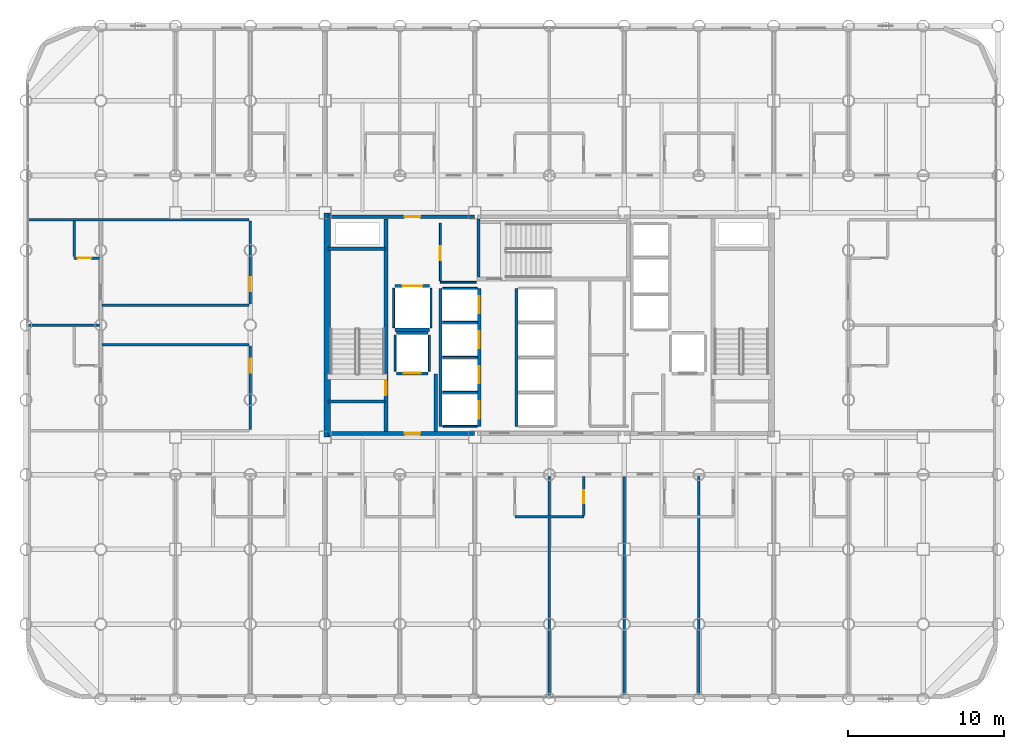
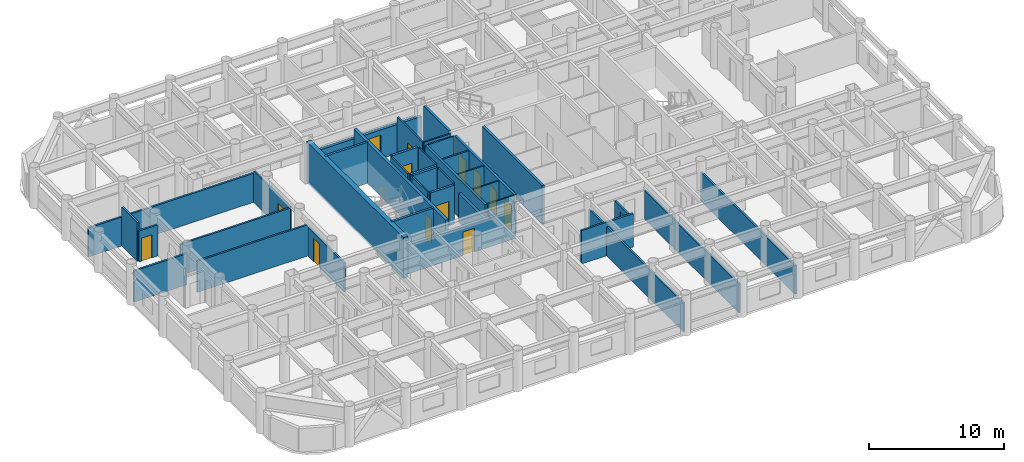
# One storey, part 17 of 22: 39 walls, 14 doors, 14 openings.
"""IFC4 building model written with IfcOpenShell, lengths in metres."""

from ifc_helpers import new_model, si_unit, direction, frame, frame_2d, origin, place, context, subcontext, project, spatial, rectangle, extrude, material, layer, layer_set, type_object, element, fill, save


model = new_model("IFC4")

# Units and contexts
model_context = context("Model", 3, precision=1e-05, world=origin(), true_north=direction((0.0, 1.0)))
body_context = subcontext(model_context, "Body", "Model", "MODEL_VIEW")
ifc_project = project(units=[si_unit("LENGTHUNIT", "METRE"), si_unit("AREAUNIT", "SQUARE_METRE"), si_unit("VOLUMEUNIT", "CUBIC_METRE"), si_unit("PLANEANGLEUNIT", "RADIAN"), si_unit("MASSUNIT", "GRAM", prefix="KILO")], contexts=[model_context])

# Site, building, storey
site_placement = place(None, origin())
site = spatial("IfcSite", under=ifc_project, at=site_placement, CompositionType="ELEMENT")
building_placement = place(site_placement, origin())
building = spatial("IfcBuilding", under=site, at=building_placement, Name="Kallvorn Hotel Tower", CompositionType="ELEMENT")
storey_placement = place(building_placement, frame((0.0, 0.0, 37.39990234375)))
storey = spatial("IfcBuildingStorey", under=building, at=storey_placement, Name="L07", CompositionType="ELEMENT", Elevation=37.39990234375)

# Walls
ifc_material_1 = material(Name="Concrete C50/60", Category="concrete")
ifc_layer_1 = layer(ifc_material_1, 0.39990234375)
ifc_layer_set_1 = layer_set([ifc_layer_1], Name="WL_CORE_400")
wall_type_1 = type_object("IfcWallType", Name="WL_CORE_400", PredefinedType="SHEAR", material=ifc_layer_set_1)
wall_1_placement = place(storey_placement, frame((-14.264892578125, -7.199951171875, -0.179931640625), z_axis=(0.0, 0.0, 1.0), x_axis=(0.0, 1.0, 0.0)))
element("IfcWall", 1, at=wall_1_placement, inside=storey, type_object=wall_type_1, Name="L07 Core West Shear Wall", PredefinedType="SHEAR", context=body_context, shape_type="SweptSolid", body=[
    extrude(rectangle(XDim=14.39990234375, YDim=0.39990234375, at=frame_2d((7.199951171875, 0.0))), origin(), (0.0, 0.0, 1.0), 3.699951171875),
])
ifc_material_2 = material(Name="Fire-rated double-layer acoustic gypsum drywall EI 60")
ifc_layer_2 = layer(ifc_material_2, 0.159912109375)
ifc_layer_set_2 = layer_set([ifc_layer_2], Name="WL_DEMISE_160")
wall_type_2 = type_object("IfcWallType", Name="WL_DEMISE_160", PredefinedType="PARTITIONING", material=ifc_layer_set_2)
wall_2_placement = place(storey_placement, frame((-2.2099609375, -12.320068359375, 0.0), z_axis=(0.0, 0.0, 1.0), x_axis=(1.0, 0.0, 0.0)))
element("IfcWall", 2, at=wall_2_placement, inside=storey, type_object=wall_type_2, Name="L07 Suite 709 Superior Twin Room Partition", PredefinedType="PARTITIONING", context=body_context, shape_type="SweptSolid", body=[
    extrude(rectangle(XDim=4.419921875, YDim=0.159912109375, at=frame_2d((2.2099609375, 0.0))), origin(), (0.0, 0.0, 1.0), 3.02001953125),
])
wall_3_placement = place(storey_placement, frame((-33.429931640625, 0.0, 0.0), z_axis=(0.0, 0.0, 1.0), x_axis=(1.0, 0.0, 0.0)))
element("IfcWall", 3, at=wall_3_placement, inside=storey, type_object=wall_type_2, Name="L07 Suite 702 W Andean Twin Room Partition", PredefinedType="PARTITIONING", context=body_context, shape_type="SweptSolid", body=[
    extrude(rectangle(XDim=4.550048828125, YDim=0.159912109375, at=frame_2d((2.27490234375, 0.0))), origin(), (0.0, 0.0, 1.0), 2.820068359375),
])

# Wall, opening, door
wall_4_placement = place(storey_placement, frame((-30.5, 4.300048828125, 0.0), z_axis=(0.0, 0.0, 1.0), x_axis=(1.0, 0.0, 0.0)))
wall_4 = element("IfcWall", 4, at=wall_4_placement, inside=storey, type_object=wall_type_2, Name="L07 Suite 702 W Andean Twin Room Partition", PredefinedType="PARTITIONING", context=body_context, shape_type="SweptSolid", body=[
    extrude(rectangle(XDim=1.6201171875, YDim=0.159912109375, at=frame_2d((0.81005859375, 0.0))), origin(), (0.0, 0.0, 1.0), 2.820068359375),
])
opening_1_placement = place(wall_4_placement, frame((0.219970703125, 0.0, 0.0)))
opening_1 = element("IfcOpeningElement", 5, at=opening_1_placement, cuts=wall_4, Name="Opening BD-I", PredefinedType="OPENING", context=body_context, shape_type="SweptSolid", body=[
    extrude(rectangle(XDim=0.860107421875, YDim=2.10009765625, at=frame_2d((0.43017578125, 1.050048828125))), frame((0.0, 0.094970703125, 0.0), z_axis=(0.0, -1.0, 0.0), x_axis=(1.0, 0.0, 0.0)), (0.0, 0.0, 1.0), 0.18994140625),
])
ifc_material_3 = material(Name="Solid-core walnut veneer fire-rated timber door leaf", Category="wood")
door_type_1 = type_object("IfcDoorType", Name="DR_BATH_860x2100", OperationType="NOTDEFINED", PredefinedType="DOOR", material=ifc_material_3)
door_1_placement = place(opening_1_placement, origin())
door_1 = element("IfcDoor", 6, at=door_1_placement, inside=storey, type_object=door_type_1, Name="L07 Suite 702 En-Suite Bathroom Door", OperationType="SINGLE_SWING_LEFT", OverallHeight=2.10009765625, OverallWidth=0.860107421875, PredefinedType="DOOR", context=body_context, shape_type="SweptSolid", body=[
    extrude(rectangle(XDim=0.860107421875, YDim=2.10009765625, at=frame_2d((0.43017578125, 1.050048828125))), frame((0.0, 0.02490234375, 0.0), z_axis=(0.0, -1.0, 0.0), x_axis=(1.0, 0.0, 0.0)), (0.0, 0.0, 1.0), 0.050048828125),
])
fill(opening_1, door_1)

# Walls
wall_5_placement = place(storey_placement, frame((-33.429931640625, 6.75830078125, 0.0), z_axis=(0.0, 0.0, 1.0), x_axis=(1.0, 0.0, 0.0)))
element("IfcWall", 7, at=wall_5_placement, inside=storey, type_object=wall_type_2, Name="L07 Suite 702 W Andean Twin Room Partition", PredefinedType="PARTITIONING", context=body_context, shape_type="SweptSolid", body=[
    extrude(rectangle(XDim=14.14990234375, YDim=0.159912109375, at=frame_2d((7.074951171875, 0.0))), origin(), (0.0, 0.0, 1.0), 2.6201171875),
])
wall_6_placement = place(storey_placement, frame((-30.5, 4.385009765625, 0.0), z_axis=(0.0, 0.0, 1.0), x_axis=(0.0, 1.0, 0.0)))
element("IfcWall", 8, at=wall_6_placement, inside=storey, type_object=wall_type_2, Name="L07 Suite 702 W Andean Twin Room Partition", PredefinedType="PARTITIONING", context=body_context, shape_type="SweptSolid", body=[
    extrude(rectangle(XDim=2.288330078125, YDim=0.159912109375, at=frame_2d((1.14404296875, 0.0))), origin(), (0.0, 0.0, 1.0), 3.52001953125),
])
wall_7_placement = place(storey_placement, frame((0.0, -23.794921875, 0.0), z_axis=(0.0, 0.0, 1.0), x_axis=(0.0, 1.0, 0.0)))
element("IfcWall", 9, at=wall_7_placement, inside=storey, type_object=wall_type_2, Name="L07 Suite 709 Superior Twin Room Partition", PredefinedType="PARTITIONING", context=body_context, shape_type="SweptSolid", body=[
    extrude(rectangle(XDim=14.074951171875, YDim=0.159912109375, at=frame_2d((7.03759765625, 0.0))), origin(), (0.0, 0.0, 1.0), 2.6201171875),
])

# Wall, opening, door
wall_8_placement = place(storey_placement, frame((2.2099609375, -12.235107421875, 0.0), z_axis=(0.0, 0.0, 1.0), x_axis=(0.0, 1.0, 0.0)))
wall_8 = element("IfcWall", 10, at=wall_8_placement, inside=storey, type_object=wall_type_2, Name="L07 Suite 710 Superior Twin Room Partition", PredefinedType="PARTITIONING", context=body_context, shape_type="SweptSolid", body=[
    extrude(rectangle(XDim=2.51513671875, YDim=0.159912109375, at=frame_2d((1.257568359375, 0.0))), origin(), (0.0, 0.0, 1.0), 2.6201171875),
])
opening_2_placement = place(wall_8_placement, frame((0.784912109375, 0.0, 0.0)))
opening_2 = element("IfcOpeningElement", 11, at=opening_2_placement, cuts=wall_8, Name="Opening BD-I", PredefinedType="OPENING", context=body_context, shape_type="SweptSolid", body=[
    extrude(rectangle(XDim=0.860107421875, YDim=2.10009765625, at=frame_2d((0.43017578125, 1.050048828125))), frame((0.0, 0.094970703125, 0.0), z_axis=(0.0, -1.0, 0.0), x_axis=(1.0, 0.0, 0.0)), (0.0, 0.0, 1.0), 0.18994140625),
])
door_2_placement = place(opening_2_placement, origin())
door_2 = element("IfcDoor", 12, at=door_2_placement, inside=storey, type_object=door_type_1, Name="L07 Suite 710 En-Suite Bathroom Door", OperationType="SINGLE_SWING_LEFT", OverallHeight=2.10009765625, OverallWidth=0.860107421875, PredefinedType="DOOR", context=body_context, shape_type="SweptSolid", body=[
    extrude(rectangle(XDim=0.860107421875, YDim=2.10009765625, at=frame_2d((0.43017578125, 1.050048828125))), frame((0.0, 0.02490234375, 0.0), z_axis=(0.0, -1.0, 0.0), x_axis=(1.0, 0.0, 0.0)), (0.0, 0.0, 1.0), 0.050048828125),
])
fill(opening_2, door_2)

# Walls
for number, where, z_axis, x_axis, name in (
    (13, (4.800048828125, -23.7099609375, 0.0), (0.0, 0.0, 1.0), (0.0, 1.0, 0.0), "L07 Suite 710 Superior Twin Room Partition"),
    (14, (9.60009765625, -23.7099609375, 0.0), (0.0, 0.0, 1.0), (0.0, 1.0, 0.0), "L07 Suite 711 Superior Twin Room Partition"),
):
    element("IfcWall", number, at=place(storey_placement, frame(where, z_axis=z_axis, x_axis=x_axis)), inside=storey, type_object=wall_type_2, Name=name, PredefinedType="PARTITIONING", context=body_context, shape_type="SweptSolid", body=[
        extrude(rectangle(XDim=13.989990234375, YDim=0.159912109375, at=frame_2d((6.9951171875, 0.0))), origin(), (0.0, 0.0, 1.0), 2.6201171875),
    ])
ifc_material_4 = material(Name="Concrete C40/50", Category="concrete")
ifc_layer_3 = layer(ifc_material_4, 0.219970703125)
ifc_layer_set_3 = layer_set([ifc_layer_3], Name="WL_FFL_220")
wall_type_3 = type_object("IfcWallType", Name="WL_FFL_220", PredefinedType="SOLIDWALL", material=ifc_layer_set_3)
wall_9_placement = place(storey_placement, frame((-7.300048828125, -6.820068359375, 0.0), z_axis=(0.0, 0.0, 1.0), x_axis=(0.0, 1.0, 0.0)))
element("IfcWall", 15, at=wall_9_placement, inside=storey, type_object=wall_type_3, Name="L07 Firefighting Lobby West Divider Wall", PredefinedType="SOLIDWALL", context=body_context, shape_type="SweptSolid", body=[
    extrude(rectangle(XDim=3.670166015625, YDim=0.219970703125, at=frame_2d((1.8349609375, 0.0))), origin(), (0.0, 0.0, 1.0), 2.6201171875),
])
ifc_material_5 = material(Name="Concrete C40/50", Category="concrete")
ifc_layer_4 = layer(ifc_material_5, 0.199951171875)
ifc_layer_set_4 = layer_set([ifc_layer_4], Name="WL_HOIST_200")
wall_type_4 = type_object("IfcWallType", Name="WL_HOIST_200", PredefinedType="SOLIDWALL", material=ifc_layer_set_4)
for number, where, z_axis, x_axis, name in (
    (16, (-14.199951171875, -4.89990234375, -0.179931640625), (0.0, 0.0, 1.0), (1.0, 0.0, 0.0), "L07 Stair ST1 South Wall"),
    (17, (-14.199951171875, 4.89990234375, -0.179931640625), (0.0, 0.0, 1.0), (1.0, 0.0, 0.0), "L07 Stair ST1 North Wall"),
):
    element("IfcWall", number, at=place(storey_placement, frame(where, z_axis=z_axis, x_axis=x_axis)), inside=storey, type_object=wall_type_4, Name=name, PredefinedType="SOLIDWALL", context=body_context, shape_type="SweptSolid", body=[
        extrude(rectangle(XDim=3.64990234375, YDim=0.199951171875, at=frame_2d((1.824951171875, 0.0))), origin(), (0.0, 0.0, 1.0), 3.699951171875),
    ])
wall_10_placement = place(storey_placement, frame((-4.550048828125, 3.080078125, -0.179931640625), z_axis=(0.0, 0.0, 1.0), x_axis=(0.0, 1.0, 0.0)))
element("IfcWall", 18, at=wall_10_placement, inside=storey, type_object=wall_type_4, Name="L07 Stair ST3 West Wall", PredefinedType="SOLIDWALL", context=body_context, shape_type="SweptSolid", body=[
    extrude(rectangle(XDim=3.739990234375, YDim=0.199951171875, at=frame_2d((1.8701171875, 0.0))), origin(), (0.0, 0.0, 1.0), 3.699951171875),
])

# Wall, openings, doors
wall_11_placement = place(storey_placement, frame((-4.5, -6.5, 0.0), z_axis=(0.0, 0.0, 1.0), x_axis=(0.0, 1.0, 0.0)))
wall_11 = element("IfcWall", 19, at=wall_11_placement, inside=storey, type_object=wall_type_4, Name="L07 Lift Bank B1 Landing Wall", PredefinedType="SOLIDWALL", context=body_context, shape_type="SweptSolid", body=[
    extrude(rectangle(XDim=8.85009765625, YDim=0.199951171875, at=frame_2d((4.425048828125, 0.0))), origin(), (0.0, 0.0, 1.0), 3.52001953125),
])
opening_3_placement = place(wall_11_placement, frame((0.5, 0.0, 0.0)))
opening_3 = element("IfcOpeningElement", 20, at=opening_3_placement, cuts=wall_11, Name="Opening LD-PL-01", PredefinedType="OPENING", context=body_context, shape_type="SweptSolid", body=[
    extrude(rectangle(XDim=1.10009765625, YDim=2.199951171875, at=frame_2d((0.550048828125, 1.10009765625))), frame((0.0, 0.114990234375, 0.0), z_axis=(0.0, -1.0, 0.0), x_axis=(1.0, 0.0, 0.0)), (0.0, 0.0, 1.0), 0.22998046875),
])
opening_4_placement = place(wall_11_placement, frame((2.75, 0.0, 0.0)))
opening_4 = element("IfcOpeningElement", 21, at=opening_4_placement, cuts=wall_11, Name="Opening LD-PL-02", PredefinedType="OPENING", context=body_context, shape_type="SweptSolid", body=[
    extrude(rectangle(XDim=1.10009765625, YDim=2.199951171875, at=frame_2d((0.550048828125, 1.10009765625))), frame((0.0, 0.114990234375, 0.0), z_axis=(0.0, -1.0, 0.0), x_axis=(1.0, 0.0, 0.0)), (0.0, 0.0, 1.0), 0.22998046875),
])
opening_5_placement = place(wall_11_placement, frame((5.0, 0.0, 0.0)))
opening_5 = element("IfcOpeningElement", 22, at=opening_5_placement, cuts=wall_11, Name="Opening LD-PL-03", PredefinedType="OPENING", context=body_context, shape_type="SweptSolid", body=[
    extrude(rectangle(XDim=1.10009765625, YDim=2.199951171875, at=frame_2d((0.550048828125, 1.10009765625))), frame((0.0, 0.114990234375, 0.0), z_axis=(0.0, -1.0, 0.0), x_axis=(1.0, 0.0, 0.0)), (0.0, 0.0, 1.0), 0.22998046875),
])
opening_6_placement = place(wall_11_placement, frame((7.25, 0.0, 0.0)))
opening_6 = element("IfcOpeningElement", 23, at=opening_6_placement, cuts=wall_11, Name="Opening LD-PL-04", PredefinedType="OPENING", context=body_context, shape_type="SweptSolid", body=[
    extrude(rectangle(XDim=1.10009765625, YDim=2.199951171875, at=frame_2d((0.550048828125, 1.10009765625))), frame((0.0, 0.114990234375, 0.0), z_axis=(0.0, -1.0, 0.0), x_axis=(1.0, 0.0, 0.0)), (0.0, 0.0, 1.0), 0.22998046875),
])
ifc_material_6 = material(Name="Brushed stainless-steel automatic sliding lift landing door", Category="steel")
door_type_2 = type_object("IfcDoorType", Name="LD_PASS_1100x2200", OperationType="SLIDING_TO_LEFT", PredefinedType="DOOR", material=ifc_material_6)
door_3_placement = place(opening_3_placement, origin())
door_3 = element("IfcDoor", 24, at=door_3_placement, inside=storey, type_object=door_type_2, Name="L07 Lift Landing Sliding Door LD-PL-01", OperationType="SLIDING_TO_LEFT", OverallHeight=2.199951171875, OverallWidth=1.10009765625, PredefinedType="DOOR", context=body_context, shape_type="SweptSolid", body=[
    extrude(rectangle(XDim=1.10009765625, YDim=2.199951171875, at=frame_2d((0.550048828125, 1.10009765625))), frame((0.0, 0.02490234375, 0.0), z_axis=(0.0, -1.0, 0.0), x_axis=(1.0, 0.0, 0.0)), (0.0, 0.0, 1.0), 0.050048828125),
])
fill(opening_3, door_3)
door_4_placement = place(opening_4_placement, origin())
door_4 = element("IfcDoor", 25, at=door_4_placement, inside=storey, type_object=door_type_2, Name="L07 Lift Landing Sliding Door LD-PL-02", OperationType="SLIDING_TO_LEFT", OverallHeight=2.199951171875, OverallWidth=1.10009765625, PredefinedType="DOOR", context=body_context, shape_type="SweptSolid", body=[
    extrude(rectangle(XDim=1.10009765625, YDim=2.199951171875, at=frame_2d((0.550048828125, 1.10009765625))), frame((0.0, 0.02490234375, 0.0), z_axis=(0.0, -1.0, 0.0), x_axis=(1.0, 0.0, 0.0)), (0.0, 0.0, 1.0), 0.050048828125),
])
fill(opening_4, door_4)
door_5_placement = place(opening_5_placement, origin())
door_5 = element("IfcDoor", 26, at=door_5_placement, inside=storey, type_object=door_type_2, Name="L07 Lift Landing Sliding Door LD-PL-03", OperationType="SLIDING_TO_LEFT", OverallHeight=2.199951171875, OverallWidth=1.10009765625, PredefinedType="DOOR", context=body_context, shape_type="SweptSolid", body=[
    extrude(rectangle(XDim=1.10009765625, YDim=2.199951171875, at=frame_2d((0.550048828125, 1.10009765625))), frame((0.0, 0.02490234375, 0.0), z_axis=(0.0, -1.0, 0.0), x_axis=(1.0, 0.0, 0.0)), (0.0, 0.0, 1.0), 0.050048828125),
])
fill(opening_5, door_5)
door_6_placement = place(opening_6_placement, origin())
door_6 = element("IfcDoor", 27, at=door_6_placement, inside=storey, type_object=door_type_2, Name="L07 Lift Landing Sliding Door LD-PL-04", OperationType="SLIDING_TO_LEFT", OverallHeight=2.199951171875, OverallWidth=1.10009765625, PredefinedType="DOOR", context=body_context, shape_type="SweptSolid", body=[
    extrude(rectangle(XDim=1.10009765625, YDim=2.199951171875, at=frame_2d((0.550048828125, 1.10009765625))), frame((0.0, 0.02490234375, 0.0), z_axis=(0.0, -1.0, 0.0), x_axis=(1.0, 0.0, 0.0)), (0.0, 0.0, 1.0), 0.050048828125),
])
fill(opening_6, door_6)

# Walls
for number, where, z_axis, x_axis, name in (
    (28, (-7.0, -6.5, 0.0), (0.0, 0.0, 1.0), (0.0, 1.0, 0.0), "L07 Lift Bank B1 Rear Shaft Wall"),
    (29, (-2.10009765625, -6.5, 0.0), (0.0, 0.0, 1.0), (0.0, 1.0, 0.0), "L07 Lift Bank B2 Landing Wall"),
):
    element("IfcWall", number, at=place(storey_placement, frame(where, z_axis=z_axis, x_axis=x_axis)), inside=storey, type_object=wall_type_4, Name=name, PredefinedType="SOLIDWALL", context=body_context, shape_type="SweptSolid", body=[
        extrude(rectangle(XDim=8.85009765625, YDim=0.199951171875, at=frame_2d((4.425048828125, 0.0))), origin(), (0.0, 0.0, 1.0), 3.52001953125),
    ])

# Wall, opening, door
wall_12_placement = place(storey_placement, frame((-9.820068359375, -3.10009765625, 0.0), z_axis=(0.0, 0.0, 1.0), x_axis=(1.0, 0.0, 0.0)))
wall_12 = element("IfcWall", 30, at=wall_12_placement, inside=storey, type_object=wall_type_4, Name="L07 FL-1 Landing Wall", PredefinedType="SOLIDWALL", context=body_context, shape_type="SweptSolid", body=[
    extrude(rectangle(XDim=2.0400390625, YDim=0.199951171875, at=frame_2d((1.02001953125, 0.0))), origin(), (0.0, 0.0, 1.0), 3.52001953125),
])
opening_7_placement = place(wall_12_placement, frame((0.469970703125, 0.0, 0.0)))
opening_7 = element("IfcOpeningElement", 31, at=opening_7_placement, cuts=wall_12, Name="Opening LD-FL-1", PredefinedType="OPENING", context=body_context, shape_type="SweptSolid", body=[
    extrude(rectangle(XDim=1.10009765625, YDim=2.199951171875, at=frame_2d((0.550048828125, 1.10009765625))), frame((0.0, 0.114990234375, 0.0), z_axis=(0.0, -1.0, 0.0), x_axis=(1.0, 0.0, 0.0)), (0.0, 0.0, 1.0), 0.22998046875),
])
door_7_placement = place(opening_7_placement, origin())
door_7 = element("IfcDoor", 32, at=door_7_placement, inside=storey, type_object=door_type_2, Name="L07 Lift Landing Sliding Door LD-FL-1", OperationType="SLIDING_TO_LEFT", OverallHeight=2.199951171875, OverallWidth=1.10009765625, PredefinedType="DOOR", context=body_context, shape_type="SweptSolid", body=[
    extrude(rectangle(XDim=1.10009765625, YDim=2.199951171875, at=frame_2d((0.550048828125, 1.10009765625))), frame((0.0, 0.02490234375, 0.0), z_axis=(0.0, -1.0, 0.0), x_axis=(1.0, 0.0, 0.0)), (0.0, 0.0, 1.0), 0.050048828125),
])
fill(opening_7, door_7)

# Wall
wall_13_placement = place(storey_placement, frame((-9.820068359375, -0.5, 0.0), z_axis=(0.0, 0.0, 1.0), x_axis=(1.0, 0.0, 0.0)))
element("IfcWall", 33, at=wall_13_placement, inside=storey, type_object=wall_type_4, Name="L07 FL-1 Rear Shaft Wall", PredefinedType="SOLIDWALL", context=body_context, shape_type="SweptSolid", body=[
    extrude(rectangle(XDim=2.0400390625, YDim=0.199951171875, at=frame_2d((1.02001953125, 0.0))), origin(), (0.0, 0.0, 1.0), 3.52001953125),
])

# Wall, opening, door
wall_14_placement = place(storey_placement, frame((-9.919921875, 2.5, 0.0), z_axis=(0.0, 0.0, 1.0), x_axis=(1.0, 0.0, 0.0)))
wall_14 = element("IfcWall", 34, at=wall_14_placement, inside=storey, type_object=wall_type_4, Name="L07 SV-01 Landing Wall", PredefinedType="SOLIDWALL", context=body_context, shape_type="SweptSolid", body=[
    extrude(rectangle(XDim=2.239990234375, YDim=0.199951171875, at=frame_2d((1.1201171875, 0.0))), origin(), (0.0, 0.0, 1.0), 3.52001953125),
])
opening_8_placement = place(wall_14_placement, frame((0.4951171875, 0.0, 0.0)))
opening_8 = element("IfcOpeningElement", 35, at=opening_8_placement, cuts=wall_14, Name="Opening LD-SV-01", PredefinedType="OPENING", context=body_context, shape_type="SweptSolid", body=[
    extrude(rectangle(XDim=1.25, YDim=2.25, at=frame_2d((0.625, 1.125))), frame((0.0, 0.114990234375, 0.0), z_axis=(0.0, -1.0, 0.0), x_axis=(1.0, 0.0, 0.0)), (0.0, 0.0, 1.0), 0.22998046875),
])
ifc_material_7 = material(Name="Brushed stainless-steel automatic sliding lift landing door", Category="steel")
door_type_3 = type_object("IfcDoorType", Name="LD_SERV_1250x2250", OperationType="SLIDING_TO_LEFT", PredefinedType="DOOR", material=ifc_material_7)
door_8_placement = place(opening_8_placement, origin())
door_8 = element("IfcDoor", 36, at=door_8_placement, inside=storey, type_object=door_type_3, Name="L07 Lift Landing Sliding Door LD-SV-01", OperationType="SLIDING_TO_LEFT", OverallHeight=2.25, OverallWidth=1.25, PredefinedType="DOOR", context=body_context, shape_type="SweptSolid", body=[
    extrude(rectangle(XDim=1.25, YDim=2.25, at=frame_2d((0.625, 1.125))), frame((0.0, 0.02490234375, 0.0), z_axis=(0.0, -1.0, 0.0), x_axis=(1.0, 0.0, 0.0)), (0.0, 0.0, 1.0), 0.050048828125),
])
fill(opening_8, door_8)

# Walls
wall_15_placement = place(storey_placement, frame((-9.919921875, -0.300048828125, 0.0), z_axis=(0.0, 0.0, 1.0), x_axis=(1.0, 0.0, 0.0)))
element("IfcWall", 37, at=wall_15_placement, inside=storey, type_object=wall_type_4, Name="L07 SV-01 Rear Shaft Wall", PredefinedType="SOLIDWALL", context=body_context, shape_type="SweptSolid", body=[
    extrude(rectangle(XDim=2.239990234375, YDim=0.199951171875, at=frame_2d((1.1201171875, 0.0))), origin(), (0.0, 0.0, 1.0), 3.52001953125),
])
ifc_material_8 = material(Name="Fire-rated double-layer acoustic gypsum drywall EI 60")
ifc_layer_5 = layer(ifc_material_8, 0.1201171875)
ifc_layer_set_5 = layer_set([ifc_layer_5], Name="WL_INT_120")
wall_type_5 = type_object("IfcWallType", Name="WL_INT_120", PredefinedType="PARTITIONING", material=ifc_layer_set_5)
for number, where, z_axis, x_axis, name in (
    (38, (-6.860107421875, -6.5, 0.0), (0.0, 0.0, 1.0), (1.0, 0.0, 0.0), "L07 Lift Bank B1 South Closure Wall"),
    (39, (-6.860107421875, -4.324951171875, 0.0), (0.0, 0.0, 1.0), (1.0, 0.0, 0.0), "L07 PL-01 Hoistway Divider"),
    (40, (-6.860107421875, -2.074951171875, 0.0), (0.0, 0.0, 1.0), (1.0, 0.0, 0.0), "L07 PL-02 Hoistway Divider"),
    (41, (-6.860107421875, 0.175048828125, 0.0), (0.0, 0.0, 1.0), (1.0, 0.0, 0.0), "L07 PL-03 Hoistway Divider"),
    (42, (-6.860107421875, 2.35009765625, 0.0), (0.0, 0.0, 1.0), (1.0, 0.0, 0.0), "L07 PL-04 Hoistway Divider"),
):
    element("IfcWall", number, at=place(storey_placement, frame(where, z_axis=z_axis, x_axis=x_axis)), inside=storey, type_object=wall_type_5, Name=name, PredefinedType="PARTITIONING", context=body_context, shape_type="SweptSolid", body=[
        extrude(rectangle(XDim=2.22021484375, YDim=0.1201171875, at=frame_2d((1.110107421875, 0.0))), origin(), (0.0, 0.0, 1.0), 3.52001953125),
    ])
for number, where, z_axis, x_axis, name in (
    (43, (-9.89990234375, -2.9599609375, 0.0), (0.0, 0.0, 1.0), (0.0, 1.0, 0.0), "L07 FL-1 West Shaft Wall"),
    (44, (-7.699951171875, -2.9599609375, 0.0), (0.0, 0.0, 1.0), (0.0, 1.0, 0.0), "L07 FL-1 East Shaft Wall"),
):
    element("IfcWall", number, at=place(storey_placement, frame(where, z_axis=z_axis, x_axis=x_axis)), inside=storey, type_object=wall_type_5, Name=name, PredefinedType="PARTITIONING", context=body_context, shape_type="SweptSolid", body=[
        extrude(rectangle(XDim=2.320068359375, YDim=0.1201171875, at=frame_2d((1.16015625, 0.0))), origin(), (0.0, 0.0, 1.0), 3.52001953125),
    ])
for number, where, z_axis, x_axis, name in (
    (45, (-10.0, -0.159912109375, 0.0), (0.0, 0.0, 1.0), (0.0, 1.0, 0.0), "L07 SV-01 West Shaft Wall"),
    (46, (-7.60009765625, -0.159912109375, 0.0), (0.0, 0.0, 1.0), (0.0, 1.0, 0.0), "L07 SV-01 East Shaft Wall"),
):
    element("IfcWall", number, at=place(storey_placement, frame(where, z_axis=z_axis, x_axis=x_axis)), inside=storey, type_object=wall_type_5, Name=name, PredefinedType="PARTITIONING", context=body_context, shape_type="SweptSolid", body=[
        extrude(rectangle(XDim=2.52001953125, YDim=0.1201171875, at=frame_2d((1.260009765625, 0.0))), origin(), (0.0, 0.0, 1.0), 3.52001953125),
    ])
wall_16_placement = place(storey_placement, frame((-7.0, 2.75, 0.0), z_axis=(0.0, 0.0, 1.0), x_axis=(1.0, 0.0, 0.0)))
element("IfcWall", 47, at=wall_16_placement, inside=storey, type_object=wall_type_5, Name="L07 Core Cleaners and Janitor Store Partition", PredefinedType="PARTITIONING", context=body_context, shape_type="SweptSolid", body=[
    extrude(rectangle(XDim=2.31005859375, YDim=0.1201171875, at=frame_2d((1.155029296875, 0.0))), origin(), (0.0, 0.0, 1.0), 3.52001953125),
])

# Wall, opening, door
wall_17_placement = place(storey_placement, frame((-7.0, 2.8349609375, 0.0), z_axis=(0.0, 0.0, 1.0), x_axis=(0.0, 1.0, 0.0)))
wall_17 = element("IfcWall", 48, at=wall_17_placement, inside=storey, type_object=wall_type_5, Name="L07 Core Cleaners and Janitor Store Partition", PredefinedType="PARTITIONING", context=body_context, shape_type="SweptSolid", body=[
    extrude(rectangle(XDim=3.715087890625, YDim=0.1201171875, at=frame_2d((1.857421875, 0.0))), origin(), (0.0, 0.0, 1.0), 3.52001953125),
])
opening_9_placement = place(wall_17_placement, frame((1.31494140625, 0.0, 0.0)))
opening_9 = element("IfcOpeningElement", 49, at=opening_9_placement, cuts=wall_17, Name="Opening SVD1", PredefinedType="OPENING", context=body_context, shape_type="SweptSolid", body=[
    extrude(rectangle(XDim=0.89990234375, YDim=2.10009765625, at=frame_2d((0.449951171875, 1.050048828125))), frame((0.0, 0.074951171875, 0.0), z_axis=(0.0, -1.0, 0.0), x_axis=(1.0, 0.0, 0.0)), (0.0, 0.0, 1.0), 0.150146484375),
])
ifc_material_9 = material(Name="Galvanised painted steel fire-rated door assembly", Category="steel")
door_type_4 = type_object("IfcDoorType", Name="DR_SERV_900x2100", OperationType="NOTDEFINED", PredefinedType="DOOR", material=ifc_material_9)
door_9_placement = place(opening_9_placement, origin())
door_9 = element("IfcDoor", 50, at=door_9_placement, inside=storey, type_object=door_type_4, Name="L07 Core Cleaners and Janitor Store Door", OperationType="SINGLE_SWING_LEFT", OverallHeight=2.10009765625, OverallWidth=0.89990234375, PredefinedType="DOOR", context=body_context, shape_type="SweptSolid", body=[
    extrude(rectangle(XDim=0.89990234375, YDim=2.10009765625, at=frame_2d((0.449951171875, 1.050048828125))), frame((0.0, 0.02490234375, 0.0), z_axis=(0.0, -1.0, 0.0), x_axis=(1.0, 0.0, 0.0)), (0.0, 0.0, 1.0), 0.050048828125),
])
fill(opening_9, door_9)

# Walls
ifc_material_10 = material(Name="Fire-rated double-layer acoustic gypsum drywall EI 60")
ifc_layer_6 = layer(ifc_material_10, 0.14990234375)
ifc_layer_set_6 = layer_set([ifc_layer_6], Name="WL_PART_150")
wall_type_6 = type_object("IfcWallType", Name="WL_PART_150", PredefinedType="PARTITIONING", material=ifc_layer_set_6)
for number, where, z_axis, x_axis, name in (
    (51, (-28.719970703125, -1.260009765625, 0.0), (0.0, 0.0, 1.0), (1.0, 0.0, 0.0), "L07 L07 West Inner Club Bar Partition"),
    (52, (-28.719970703125, 1.260009765625, 0.0), (0.0, 0.0, 1.0), (1.0, 0.0, 0.0), "L07 L07 West Inner Reading Salon Partition"),
):
    element("IfcWall", number, at=place(storey_placement, frame(where, z_axis=z_axis, x_axis=x_axis)), inside=storey, type_object=wall_type_6, Name=name, PredefinedType="PARTITIONING", context=body_context, shape_type="SweptSolid", body=[
        extrude(rectangle(XDim=9.43994140625, YDim=0.14990234375, at=frame_2d((4.719970703125, 0.0))), origin(), (0.0, 0.0, 1.0), 2.820068359375),
    ])

# Wall, opening, door
wall_18_placement = place(storey_placement, frame((-19.199951171875, -6.715087890625, 0.0), z_axis=(0.0, 0.0, 1.0), x_axis=(0.0, 1.0, 0.0)))
wall_18 = element("IfcWall", 53, at=wall_18_placement, inside=storey, type_object=wall_type_6, Name="L07 L07 West Inner Club Bar Partition", PredefinedType="PARTITIONING", context=body_context, shape_type="SweptSolid", body=[
    extrude(rectangle(XDim=5.3701171875, YDim=0.14990234375, at=frame_2d((2.68505859375, 0.0))), origin(), (0.0, 0.0, 1.0), 2.6201171875),
])
opening_10_placement = place(wall_18_placement, frame((3.66015625, 0.0, 0.0)))
opening_10 = element("IfcOpeningElement", 54, at=opening_10_placement, cuts=wall_18, Name="Opening SVD1", PredefinedType="OPENING", context=body_context, shape_type="SweptSolid", body=[
    extrude(rectangle(XDim=0.89990234375, YDim=2.10009765625, at=frame_2d((0.449951171875, 1.050048828125))), frame((0.0, 0.08984375, 0.0), z_axis=(0.0, -1.0, 0.0), x_axis=(1.0, 0.0, 0.0)), (0.0, 0.0, 1.0), 0.179931640625),
])
door_10_placement = place(opening_10_placement, origin())
door_10 = element("IfcDoor", 55, at=door_10_placement, inside=storey, type_object=door_type_4, Name="L07 L07 West Inner Club Bar Door", OperationType="SINGLE_SWING_LEFT", OverallHeight=2.10009765625, OverallWidth=0.89990234375, PredefinedType="DOOR", context=body_context, shape_type="SweptSolid", body=[
    extrude(rectangle(XDim=0.89990234375, YDim=2.10009765625, at=frame_2d((0.449951171875, 1.050048828125))), frame((0.0, 0.02490234375, 0.0), z_axis=(0.0, -1.0, 0.0), x_axis=(1.0, 0.0, 0.0)), (0.0, 0.0, 1.0), 0.050048828125),
])
fill(opening_10, door_10)

wall_19_placement = place(storey_placement, frame((-19.199951171875, 1.344970703125, 0.0), z_axis=(0.0, 0.0, 1.0), x_axis=(0.0, 1.0, 0.0)))
wall_19 = element("IfcWall", 56, at=wall_19_placement, inside=storey, type_object=wall_type_6, Name="L07 L07 West Inner Reading Salon Partition", PredefinedType="PARTITIONING", context=body_context, shape_type="SweptSolid", body=[
    extrude(rectangle(XDim=5.328369140625, YDim=0.14990234375, at=frame_2d((2.6640625, 0.0))), origin(), (0.0, 0.0, 1.0), 2.820068359375),
])
opening_11_placement = place(wall_19_placement, frame((0.818115234375, 0.0, 0.0)))
opening_11 = element("IfcOpeningElement", 57, at=opening_11_placement, cuts=wall_19, Name="Opening SVD1", PredefinedType="OPENING", context=body_context, shape_type="SweptSolid", body=[
    extrude(rectangle(XDim=0.89990234375, YDim=2.10009765625, at=frame_2d((0.449951171875, 1.050048828125))), frame((0.0, 0.08984375, 0.0), z_axis=(0.0, -1.0, 0.0), x_axis=(1.0, 0.0, 0.0)), (0.0, 0.0, 1.0), 0.179931640625),
])
door_11_placement = place(opening_11_placement, origin())
door_11 = element("IfcDoor", 58, at=door_11_placement, inside=storey, type_object=door_type_4, Name="L07 L07 West Inner Reading Salon Door", OperationType="SINGLE_SWING_RIGHT", OverallHeight=2.10009765625, OverallWidth=0.89990234375, PredefinedType="DOOR", context=body_context, shape_type="SweptSolid", body=[
    extrude(rectangle(XDim=0.89990234375, YDim=2.10009765625, at=frame_2d((0.449951171875, 1.050048828125))), frame((0.0, 0.02490234375, 0.0), z_axis=(0.0, -1.0, 0.0), x_axis=(1.0, 0.0, 0.0)), (0.0, 0.0, 1.0), 0.050048828125),
])
fill(opening_11, door_11)

ifc_material_11 = material(Name="Concrete C40/50", Category="concrete")
ifc_layer_7 = layer(ifc_material_11, 0.25)
ifc_layer_set_7 = layer_set([ifc_layer_7], Name="WL_SHAFT_250")
wall_type_7 = type_object("IfcWallType", Name="WL_SHAFT_250", PredefinedType="SOLIDWALL", material=ifc_layer_set_7)
wall_20_placement = place(storey_placement, frame((-14.199951171875, -6.949951171875, 0.0), z_axis=(0.0, 0.0, 1.0), x_axis=(1.0, 0.0, 0.0)))
wall_20 = element("IfcWall", 59, at=wall_20_placement, inside=storey, type_object=wall_type_7, Name="L07 Core South-West Wall", PredefinedType="SOLIDWALL", context=body_context, shape_type="SweptSolid", body=[
    extrude(rectangle(XDim=9.39990234375, YDim=0.25, at=frame_2d((4.699951171875, 0.0))), origin(), (0.0, 0.0, 1.0), 2.6201171875),
])
opening_12_placement = place(wall_20_placement, frame((4.89990234375, 0.0, 0.0)))
opening_12 = element("IfcOpeningElement", 60, at=opening_12_placement, cuts=wall_20, Name="Opening FD1", PredefinedType="OPENING", context=body_context, shape_type="SweptSolid", body=[
    extrude(rectangle(XDim=1.0, YDim=2.14990234375, at=frame_2d((0.5, 1.074951171875))), frame((0.0, 0.139892578125, 0.0), z_axis=(0.0, -1.0, 0.0), x_axis=(1.0, 0.0, 0.0)), (0.0, 0.0, 1.0), 0.280029296875),
])
ifc_material_12 = material(Name="Galvanised painted steel fire-rated door assembly", Category="steel")
door_type_5 = type_object("IfcDoorType", Name="DR_FFL_1000x2150", OperationType="NOTDEFINED", PredefinedType="DOOR", material=ifc_material_12)
door_12_placement = place(opening_12_placement, origin())
door_12 = element("IfcDoor", 61, at=door_12_placement, inside=storey, type_object=door_type_5, Name="L07 Firefighting Lobby West Door", OperationType="SINGLE_SWING_LEFT", OverallHeight=2.14990234375, OverallWidth=1.0, PredefinedType="DOOR", context=body_context, shape_type="SweptSolid", body=[
    extrude(rectangle(XDim=1.0, YDim=2.14990234375, at=frame_2d((0.5, 1.074951171875))), frame((0.0, 0.02490234375, 0.0), z_axis=(0.0, -1.0, 0.0), x_axis=(1.0, 0.0, 0.0)), (0.0, 0.0, 1.0), 0.050048828125),
])
fill(opening_12, door_12)

wall_21_placement = place(storey_placement, frame((-14.199951171875, 6.949951171875, 0.0), z_axis=(0.0, 0.0, 1.0), x_axis=(1.0, 0.0, 0.0)))
wall_21 = element("IfcWall", 62, at=wall_21_placement, inside=storey, type_object=wall_type_7, Name="L07 Core North-West Wall", PredefinedType="SOLIDWALL", context=body_context, shape_type="SweptSolid", body=[
    extrude(rectangle(XDim=9.39990234375, YDim=0.25, at=frame_2d((4.699951171875, 0.0))), origin(), (0.0, 0.0, 1.0), 2.6201171875),
])
opening_13_placement = place(wall_21_placement, frame((4.89990234375, 0.0, 0.0)))
opening_13 = element("IfcOpeningElement", 63, at=opening_13_placement, cuts=wall_21, Name="Opening FD1", PredefinedType="OPENING", context=body_context, shape_type="SweptSolid", body=[
    extrude(rectangle(XDim=1.0, YDim=2.14990234375, at=frame_2d((0.5, 1.074951171875))), frame((0.0, 0.139892578125, 0.0), z_axis=(0.0, -1.0, 0.0), x_axis=(1.0, 0.0, 0.0)), (0.0, 0.0, 1.0), 0.280029296875),
])
door_13_placement = place(opening_13_placement, origin())
door_13 = element("IfcDoor", 64, at=door_13_placement, inside=storey, type_object=door_type_5, Name="L07 Service Lift Lobby Door", OperationType="SINGLE_SWING_LEFT", OverallHeight=2.14990234375, OverallWidth=1.0, PredefinedType="DOOR", context=body_context, shape_type="SweptSolid", body=[
    extrude(rectangle(XDim=1.0, YDim=2.14990234375, at=frame_2d((0.5, 1.074951171875))), frame((0.0, 0.02490234375, 0.0), z_axis=(0.0, -1.0, 0.0), x_axis=(1.0, 0.0, 0.0)), (0.0, 0.0, 1.0), 0.050048828125),
])
fill(opening_13, door_13)

wall_22_placement = place(storey_placement, frame((-10.5, -6.820068359375, -0.179931640625), z_axis=(0.0, 0.0, 1.0), x_axis=(0.0, 1.0, 0.0)))
wall_22 = element("IfcWall", 65, at=wall_22_placement, inside=storey, type_object=wall_type_7, Name="L07 Stair ST1 Shaft Wall", PredefinedType="SOLIDWALL", context=body_context, shape_type="SweptSolid", body=[
    extrude(rectangle(XDim=13.64013671875, YDim=0.25, at=frame_2d((6.820068359375, 0.0))), origin(), (0.0, 0.0, 1.0), 3.699951171875),
])
opening_14_placement = place(wall_22_placement, frame((2.320068359375, 0.0, 0.179931640625)))
opening_14 = element("IfcOpeningElement", 66, at=opening_14_placement, cuts=wall_22, Name="Opening SD1", PredefinedType="OPENING", context=body_context, shape_type="SweptSolid", body=[
    extrude(rectangle(XDim=0.949951171875, YDim=2.14990234375, at=frame_2d((0.47509765625, 1.074951171875))), frame((0.0, 0.139892578125, 0.0), z_axis=(0.0, -1.0, 0.0), x_axis=(1.0, 0.0, 0.0)), (0.0, 0.0, 1.0), 0.280029296875),
])
ifc_material_13 = material(Name="Galvanised painted steel fire-rated door assembly", Category="steel")
door_type_6 = type_object("IfcDoorType", Name="DR_STAIR_950x2150", OperationType="NOTDEFINED", PredefinedType="DOOR", material=ifc_material_13)
door_14_placement = place(opening_14_placement, origin())
door_14 = element("IfcDoor", 67, at=door_14_placement, inside=storey, type_object=door_type_6, Name="L07 Exit Stair ST1 Fire Door", OperationType="SINGLE_SWING_LEFT", OverallHeight=2.14990234375, OverallWidth=0.949951171875, PredefinedType="DOOR", context=body_context, shape_type="SweptSolid", body=[
    extrude(rectangle(XDim=0.949951171875, YDim=2.14990234375, at=frame_2d((0.47509765625, 1.074951171875))), frame((0.0, 0.02490234375, 0.0), z_axis=(0.0, -1.0, 0.0), x_axis=(1.0, 0.0, 0.0)), (0.0, 0.0, 1.0), 0.050048828125),
])
fill(opening_14, door_14)

save(model, "model.ifc")
